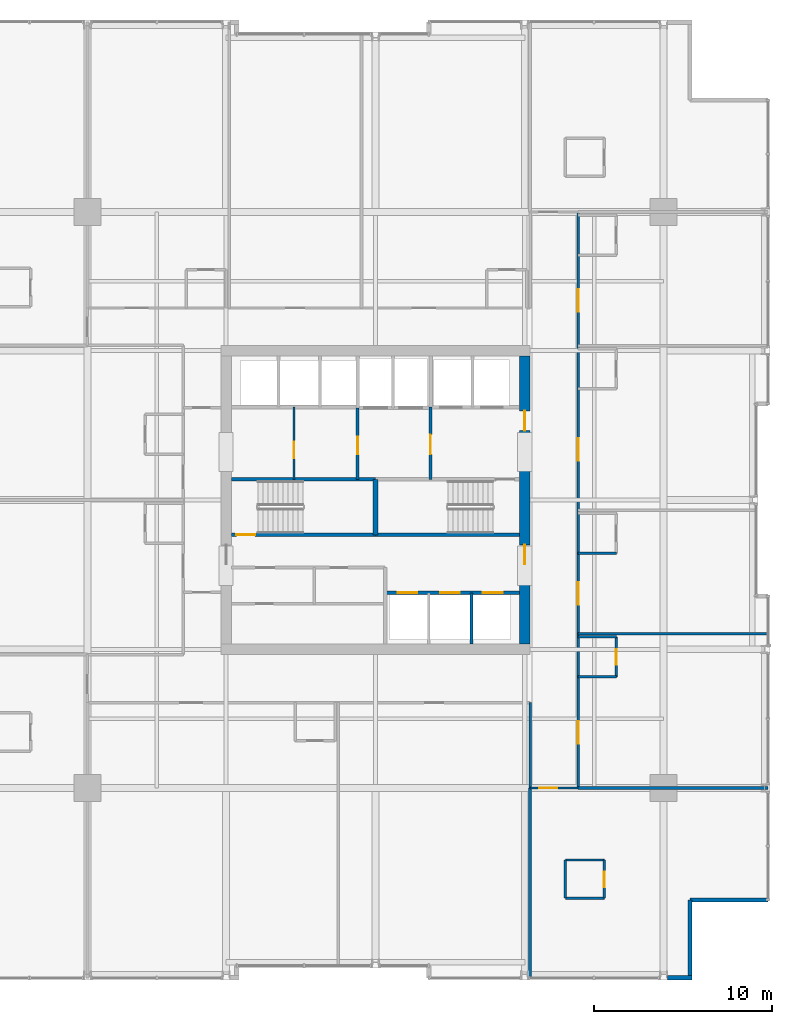
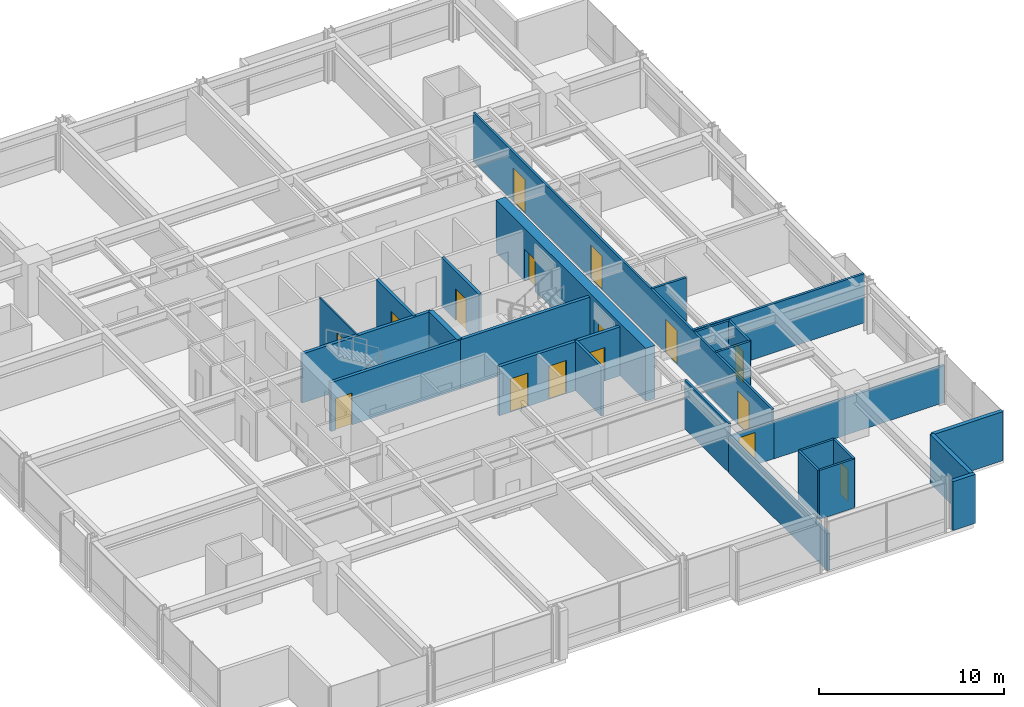
# One storey, part 29 of 33: 27 walls, 16 doors, 16 openings.
"""IFC4 building model written with IfcOpenShell, lengths in metres."""

from ifc_helpers import new_model, si_unit, direction, frame, frame_2d, origin, place, context, subcontext, project, spatial, rectangle, extrude, material, layer, layer_set, type_object, element, fill, save


model = new_model("IFC4")

# Units and contexts
model_context = context("Model", 3, precision=1e-05, world=origin(), true_north=direction((0.0, 1.0)))
body_context = subcontext(model_context, "Body", "Model", "MODEL_VIEW")
ifc_project = project(units=[si_unit("LENGTHUNIT", "METRE"), si_unit("AREAUNIT", "SQUARE_METRE"), si_unit("VOLUMEUNIT", "CUBIC_METRE"), si_unit("PLANEANGLEUNIT", "RADIAN"), si_unit("MASSUNIT", "GRAM", prefix="KILO")], contexts=[model_context])

# Site, building, storey
site_placement = place(None, origin())
site = spatial("IfcSite", under=ifc_project, at=site_placement, CompositionType="ELEMENT")
building_placement = place(site_placement, origin())
building = spatial("IfcBuilding", under=site, at=building_placement, Name="Drelvath Grand Hotel", CompositionType="ELEMENT")
storey_placement = place(building_placement, frame((0.0, 0.0, 105.800048828125)))
storey = spatial("IfcBuildingStorey", under=building, at=storey_placement, Name="L26", CompositionType="ELEMENT", Elevation=105.800048828125)

# Wall, opening, door
ifc_material_1 = material(Name="Gypsum Partition Board")
ifc_layer_1 = layer(ifc_material_1, 0.10009765625)
ifc_layer_set_1 = layer_set([ifc_layer_1], Name="Gypsum Partition Board")
wall_type_1 = type_object("IfcWallType", Name="Core Closet Partition 100", PredefinedType="PARTITIONING", material=ifc_layer_set_1)
wall_1_placement = place(storey_placement, frame((-4.580078125, 28.159912109375, 0.0), z_axis=(0.0, 0.0, 1.0), x_axis=(0.0, 1.0, 0.0)))
wall_1 = element("IfcWall", 1, at=wall_1_placement, inside=storey, type_object=wall_type_1, Name="L26 Core Closet Divider", PredefinedType="PARTITIONING", context=body_context, shape_type="SweptSolid", body=[
    extrude(rectangle(XDim=4.06005859375, YDim=0.10009765625, at=frame_2d((2.030029296875, 0.0))), origin(), (0.0, 0.0, 1.0), 3.239990234375),
])
opening_1_placement = place(wall_1_placement, frame((1.199951171875, 0.0, 0.0)))
opening_1 = element("IfcOpeningElement", 2, at=opening_1_placement, cuts=wall_1, Name="Opening D-T2G2-010", PredefinedType="OPENING", context=body_context, shape_type="SweptSolid", body=[
    extrude(rectangle(XDim=0.919921875, YDim=2.10009765625, at=frame_2d((0.4599609375, 1.050048828125))), frame((0.0, 0.06005859375, 0.0), z_axis=(0.0, -1.0, 0.0), x_axis=(1.0, 0.0, 0.0)), (0.0, 0.0, 1.0), 0.1201171875),
])
ifc_material_2 = material(Name="Painted Steel S275", Category="steel")
door_type_1 = type_object("IfcDoorType", Name="Staff Utility Door 920x2100", OperationType="NOTDEFINED", PredefinedType="DOOR", material=ifc_material_2)
door_1_placement = place(opening_1_placement, origin())
door_1 = element("IfcDoor", 3, at=door_1_placement, inside=storey, type_object=door_type_1, Name="L26 Electrical Closet Door", OperationType="SINGLE_SWING_RIGHT", OverallHeight=2.10009765625, OverallWidth=0.919921875, PredefinedType="DOOR", context=body_context, shape_type="SweptSolid", body=[
    extrude(rectangle(XDim=0.919921875, YDim=2.10009765625, at=frame_2d((0.4599609375, 1.050048828125))), frame((0.0, 0.02490234375, 0.0), z_axis=(0.0, -1.0, 0.0), x_axis=(1.0, 0.0, 0.0)), (0.0, 0.0, 1.0), 0.050048828125),
])
fill(opening_1, door_1)

# Wall, openings, doors
ifc_material_3 = material(Name="Concrete C40/50", Category="concrete")
ifc_layer_2 = layer(ifc_material_3, 0.199951171875)
ifc_layer_set_2 = layer_set([ifc_layer_2], Name="Concrete C40/50")
wall_type_2 = type_object("IfcWallType", Name="Core Hoistway Fire Wall 200", PredefinedType="SOLIDWALL", material=ifc_layer_set_2)
wall_2_placement = place(storey_placement, frame((8.10009765625, 21.780029296875, 0.0), z_axis=(0.0, 0.0, 1.0), x_axis=(-1.0, 0.0, 0.0)))
wall_2 = element("IfcWall", 4, at=wall_2_placement, inside=storey, type_object=wall_type_2, Name="L26 Bank 2 Hoistway Wall", PredefinedType="SOLIDWALL", context=body_context, shape_type="SweptSolid", body=[
    extrude(rectangle(XDim=7.550048828125, YDim=0.199951171875, at=frame_2d((3.77490234375, 0.0))), origin(), (0.0, 0.0, 1.0), 3.239990234375),
])
opening_2_placement = place(wall_2_placement, frame((5.75, 0.0, 0.0)))
opening_2 = element("IfcOpeningElement", 5, at=opening_2_placement, cuts=wall_2, Name="Opening LD-PE-4", PredefinedType="OPENING", context=body_context, shape_type="SweptSolid", body=[
    extrude(rectangle(XDim=1.10009765625, YDim=2.199951171875, at=frame_2d((0.550048828125, 1.10009765625))), frame((0.0, 0.10986328125, 0.0), z_axis=(0.0, -1.0, 0.0), x_axis=(1.0, 0.0, 0.0)), (0.0, 0.0, 1.0), 0.219970703125),
])
opening_3_placement = place(wall_2_placement, frame((3.35009765625, 0.0, 0.0)))
opening_3 = element("IfcOpeningElement", 6, at=opening_3_placement, cuts=wall_2, Name="Opening LD-PE-5", PredefinedType="OPENING", context=body_context, shape_type="SweptSolid", body=[
    extrude(rectangle(XDim=1.10009765625, YDim=2.199951171875, at=frame_2d((0.550048828125, 1.10009765625))), frame((0.0, 0.10986328125, 0.0), z_axis=(0.0, -1.0, 0.0), x_axis=(1.0, 0.0, 0.0)), (0.0, 0.0, 1.0), 0.219970703125),
])
opening_4_placement = place(wall_2_placement, frame((0.949951171875, 0.0, 0.0)))
opening_4 = element("IfcOpeningElement", 7, at=opening_4_placement, cuts=wall_2, Name="Opening LD-PE-6", PredefinedType="OPENING", context=body_context, shape_type="SweptSolid", body=[
    extrude(rectangle(XDim=1.10009765625, YDim=2.199951171875, at=frame_2d((0.550048828125, 1.10009765625))), frame((0.0, 0.10986328125, 0.0), z_axis=(0.0, -1.0, 0.0), x_axis=(1.0, 0.0, 0.0)), (0.0, 0.0, 1.0), 0.219970703125),
])
ifc_material_4 = material(Name="Stainless Steel S355", Category="steel")
door_type_2 = type_object("IfcDoorType", Name="Passenger Lift Sliding Landing Door 1100x2200", OperationType="NOTDEFINED", PredefinedType="DOOR", material=ifc_material_4)
door_2_placement = place(opening_2_placement, origin())
door_2 = element("IfcDoor", 8, at=door_2_placement, inside=storey, type_object=door_type_2, Name="L26 Lift PE-4 Landing Door", OperationType="SLIDING_TO_LEFT", OverallHeight=2.199951171875, OverallWidth=1.10009765625, PredefinedType="DOOR", context=body_context, shape_type="SweptSolid", body=[
    extrude(rectangle(XDim=1.10009765625, YDim=2.199951171875, at=frame_2d((0.550048828125, 1.10009765625))), frame((0.0, 0.02490234375, 0.0), z_axis=(0.0, -1.0, 0.0), x_axis=(1.0, 0.0, 0.0)), (0.0, 0.0, 1.0), 0.050048828125),
])
fill(opening_2, door_2)
door_3_placement = place(opening_3_placement, origin())
door_3 = element("IfcDoor", 9, at=door_3_placement, inside=storey, type_object=door_type_2, Name="L26 Lift PE-5 Landing Door", OperationType="SLIDING_TO_LEFT", OverallHeight=2.199951171875, OverallWidth=1.10009765625, PredefinedType="DOOR", context=body_context, shape_type="SweptSolid", body=[
    extrude(rectangle(XDim=1.10009765625, YDim=2.199951171875, at=frame_2d((0.550048828125, 1.10009765625))), frame((0.0, 0.02490234375, 0.0), z_axis=(0.0, -1.0, 0.0), x_axis=(1.0, 0.0, 0.0)), (0.0, 0.0, 1.0), 0.050048828125),
])
fill(opening_3, door_3)
door_4_placement = place(opening_4_placement, origin())
door_4 = element("IfcDoor", 10, at=door_4_placement, inside=storey, type_object=door_type_2, Name="L26 Lift PE-6 Landing Door", OperationType="SLIDING_TO_LEFT", OverallHeight=2.199951171875, OverallWidth=1.10009765625, PredefinedType="DOOR", context=body_context, shape_type="SweptSolid", body=[
    extrude(rectangle(XDim=1.10009765625, YDim=2.199951171875, at=frame_2d((0.550048828125, 1.10009765625))), frame((0.0, 0.02490234375, 0.0), z_axis=(0.0, -1.0, 0.0), x_axis=(1.0, 0.0, 0.0)), (0.0, 0.0, 1.0), 0.050048828125),
])
fill(opening_4, door_4)

# Wall, opening, door
ifc_layer_3 = layer(ifc_material_3, 0.199951171875)
ifc_layer_set_3 = layer_set([ifc_layer_3], Name="Concrete C40/50")
wall_type_3 = type_object("IfcWallType", Name="Core Shaft Fire Wall 200", PredefinedType="SOLIDWALL", material=ifc_layer_set_3)
wall_3_placement = place(storey_placement, frame((-8.10009765625, 25.0400390625, 0.0), z_axis=(0.0, 0.0, 1.0), x_axis=(1.0, 0.0, 0.0)))
wall_3 = element("IfcWall", 11, at=wall_3_placement, inside=storey, type_object=wall_type_3, Name="L26 Stair ST-1 South Wall", PredefinedType="SOLIDWALL", context=body_context, shape_type="SweptSolid", body=[
    extrude(rectangle(XDim=8.10009765625, YDim=0.199951171875, at=frame_2d((4.050048828125, 0.0))), origin(), (0.0, 0.0, 1.0), 3.239990234375),
])
opening_5_placement = place(wall_3_placement, frame((0.280029296875, 0.0, 0.0)))
opening_5 = element("IfcOpeningElement", 12, at=opening_5_placement, cuts=wall_3, Name="Opening D-T2G2-001", PredefinedType="OPENING", context=body_context, shape_type="SweptSolid", body=[
    extrude(rectangle(XDim=1.050048828125, YDim=2.10009765625, at=frame_2d((0.52490234375, 1.050048828125))), frame((0.0, 0.10986328125, 0.0), z_axis=(0.0, -1.0, 0.0), x_axis=(1.0, 0.0, 0.0)), (0.0, 0.0, 1.0), 0.219970703125),
])
door_type_3 = type_object("IfcDoorType", Name="Tower Stairwell Fire Door 1050x2100", OperationType="NOTDEFINED", PredefinedType="DOOR", material=ifc_material_2)
door_5_placement = place(opening_5_placement, origin())
door_5 = element("IfcDoor", 13, at=door_5_placement, inside=storey, type_object=door_type_3, Name="L26 Exit Stair ST-1 Door", OperationType="SINGLE_SWING_LEFT", OverallHeight=2.10009765625, OverallWidth=1.050048828125, PredefinedType="DOOR", context=body_context, shape_type="SweptSolid", body=[
    extrude(rectangle(XDim=1.050048828125, YDim=2.10009765625, at=frame_2d((0.52490234375, 1.050048828125))), frame((0.0, 0.02490234375, 0.0), z_axis=(0.0, -1.0, 0.0), x_axis=(1.0, 0.0, 0.0)), (0.0, 0.0, 1.0), 0.050048828125),
])
fill(opening_5, door_5)

# Walls
for number, where, z_axis, x_axis, name in (
    (14, (-8.10009765625, 28.159912109375, 0.0), (0.0, 0.0, 1.0), (1.0, 0.0, 0.0), "L26 Stair ST-1 North Wall"),
    (15, (0.0, 25.0400390625, 0.0), (0.0, 0.0, 1.0), (1.0, 0.0, 0.0), "L26 Stair ST-2 South Wall"),
):
    element("IfcWall", number, at=place(storey_placement, frame(where, z_axis=z_axis, x_axis=x_axis)), inside=storey, type_object=wall_type_3, Name=name, PredefinedType="SOLIDWALL", context=body_context, shape_type="SweptSolid", body=[
        extrude(rectangle(XDim=8.10009765625, YDim=0.199951171875, at=frame_2d((4.050048828125, 0.0))), origin(), (0.0, 0.0, 1.0), 3.239990234375),
    ])
ifc_layer_4 = layer(ifc_material_3, 0.300048828125)
ifc_layer_set_4 = layer_set([ifc_layer_4], Name="Concrete C40/50")
wall_type_4 = type_object("IfcWallType", Name="Core Shaft Fire Wall 300", PredefinedType="SOLIDWALL", material=ifc_layer_set_4)
wall_4_placement = place(storey_placement, frame((0.0, 25.0400390625, 0.0), z_axis=(0.0, 0.0, 1.0), x_axis=(0.0, 1.0, 0.0)))
element("IfcWall", 16, at=wall_4_placement, inside=storey, type_object=wall_type_4, Name="L26 Core Stair Divider Wall", PredefinedType="SOLIDWALL", context=body_context, shape_type="SweptSolid", body=[
    extrude(rectangle(XDim=3.119873046875, YDim=0.300048828125, at=frame_2d((1.56005859375, 0.0))), origin(), (0.0, 0.0, 1.0), 3.239990234375),
])
ifc_material_5 = material(Name="Gypsum Fireboard Partition")
ifc_layer_5 = layer(ifc_material_5, 0.1650390625)
ifc_layer_set_5 = layer_set([ifc_layer_5], Name="Gypsum Fireboard Partition")
wall_type_5 = type_object("IfcWallType", Name="Core Shaft Partition 165", PredefinedType="PARTITIONING", material=ifc_layer_set_5)
wall_5_placement = place(storey_placement, frame((5.39990234375, 18.89990234375, 0.0), z_axis=(0.0, 0.0, 1.0), x_axis=(0.0, 1.0, 0.0)))
element("IfcWall", 17, at=wall_5_placement, inside=storey, type_object=wall_type_5, Name="L26 Lift PE-5/6 Divider", PredefinedType="PARTITIONING", context=body_context, shape_type="SweptSolid", body=[
    extrude(rectangle(XDim=2.880126953125, YDim=0.1650390625, at=frame_2d((1.43994140625, 0.0))), origin(), (0.0, 0.0, 1.0), 3.239990234375),
])
ifc_layer_6 = layer(ifc_material_5, 0.135009765625)
ifc_layer_set_6 = layer_set([ifc_layer_6], Name="Gypsum Fireboard Partition")
wall_type_6 = type_object("IfcWallType", Name="Corridor Fire Barrier Wall 135", PredefinedType="PARTITIONING", material=ifc_layer_set_6)
wall_6_placement = place(storey_placement, frame((8.699951171875, 10.800048828125, 0.0), z_axis=(0.0, 0.0, 1.0), x_axis=(0.0, 1.0, 0.0)))
element("IfcWall", 18, at=wall_6_placement, inside=storey, type_object=wall_type_6, Name="L26 East Spine South Inner Wall", PredefinedType="PARTITIONING", context=body_context, shape_type="SweptSolid", body=[
    extrude(rectangle(XDim=4.800048828125, YDim=0.135009765625, at=frame_2d((2.39990234375, 0.0))), origin(), (0.0, 0.0, 1.0), 3.239990234375),
])

# Wall, openings, doors
wall_7_placement = place(storey_placement, frame((11.39990234375, 10.800048828125, 0.0), z_axis=(0.0, 0.0, 1.0), x_axis=(0.0, 1.0, 0.0)))
wall_7 = element("IfcWall", 19, at=wall_7_placement, inside=storey, type_object=wall_type_6, Name="L26 East Spine Corridor Wall", PredefinedType="PARTITIONING", context=body_context, shape_type="SweptSolid", body=[
    extrude(rectangle(XDim=32.39990234375, YDim=0.135009765625, at=frame_2d((16.199951171875, 0.0))), origin(), (0.0, 0.0, 1.0), 3.239990234375),
])
opening_6_placement = place(wall_7_placement, frame((2.494384765625, 0.0, 0.0)))
opening_6 = element("IfcOpeningElement", 20, at=opening_6_placement, cuts=wall_7, Name="Opening D-T2G2-038", PredefinedType="OPENING", context=body_context, shape_type="SweptSolid", body=[
    extrude(rectangle(XDim=1.260009765625, YDim=2.199951171875, at=frame_2d((0.6298828125, 1.10009765625))), frame((0.0, 0.077392578125, 0.0), z_axis=(0.0, -1.0, 0.0), x_axis=(1.0, 0.0, 0.0)), (0.0, 0.0, 1.0), 0.155029296875),
])
opening_7_placement = place(wall_7_placement, frame((10.304931640625, 0.0, 0.0)))
opening_7 = element("IfcOpeningElement", 21, at=opening_7_placement, cuts=wall_7, Name="Opening D-T2G2-040", PredefinedType="OPENING", context=body_context, shape_type="SweptSolid", body=[
    extrude(rectangle(XDim=1.260009765625, YDim=2.199951171875, at=frame_2d((0.6298828125, 1.10009765625))), frame((0.0, 0.077392578125, 0.0), z_axis=(0.0, -1.0, 0.0), x_axis=(1.0, 0.0, 0.0)), (0.0, 0.0, 1.0), 0.155029296875),
])
opening_8_placement = place(wall_7_placement, frame((18.405029296875, 0.0, 0.0)))
opening_8 = element("IfcOpeningElement", 22, at=opening_8_placement, cuts=wall_7, Name="Opening D-T2G2-042", PredefinedType="OPENING", context=body_context, shape_type="SweptSolid", body=[
    extrude(rectangle(XDim=1.260009765625, YDim=2.199951171875, at=frame_2d((0.6298828125, 1.10009765625))), frame((0.0, 0.077392578125, 0.0), z_axis=(0.0, -1.0, 0.0), x_axis=(1.0, 0.0, 0.0)), (0.0, 0.0, 1.0), 0.155029296875),
])
opening_9_placement = place(wall_7_placement, frame((26.794189453125, 0.0, 0.0)))
opening_9 = element("IfcOpeningElement", 23, at=opening_9_placement, cuts=wall_7, Name="Opening D-T2G2-044", PredefinedType="OPENING", context=body_context, shape_type="SweptSolid", body=[
    extrude(rectangle(XDim=1.260009765625, YDim=2.199951171875, at=frame_2d((0.6298828125, 1.10009765625))), frame((0.0, 0.077392578125, 0.0), z_axis=(0.0, -1.0, 0.0), x_axis=(1.0, 0.0, 0.0)), (0.0, 0.0, 1.0), 0.155029296875),
])
ifc_material_6 = material(Name="Hardwood Walnut Timber", Category="wood")
door_type_4 = type_object("IfcDoorType", Name="Suite Entrance Fire Door 1260x2200", OperationType="NOTDEFINED", PredefinedType="DOOR", material=ifc_material_6)
door_6_placement = place(opening_6_placement, origin())
door_6 = element("IfcDoor", 24, at=door_6_placement, inside=storey, type_object=door_type_4, Name="L26 Corner Suite Entry Door", OperationType="SINGLE_SWING_LEFT", OverallHeight=2.199951171875, OverallWidth=1.260009765625, PredefinedType="DOOR", context=body_context, shape_type="SweptSolid", body=[
    extrude(rectangle(XDim=1.260009765625, YDim=2.199951171875, at=frame_2d((0.6298828125, 1.10009765625))), frame((0.0, 0.02490234375, 0.0), z_axis=(0.0, -1.0, 0.0), x_axis=(1.0, 0.0, 0.0)), (0.0, 0.0, 1.0), 0.050048828125),
])
fill(opening_6, door_6)
door_7_placement = place(opening_7_placement, origin())
door_7 = element("IfcDoor", 25, at=door_7_placement, inside=storey, type_object=door_type_4, Name="L26 Corner Suite Entry Door", OperationType="SINGLE_SWING_LEFT", OverallHeight=2.199951171875, OverallWidth=1.260009765625, PredefinedType="DOOR", context=body_context, shape_type="SweptSolid", body=[
    extrude(rectangle(XDim=1.260009765625, YDim=2.199951171875, at=frame_2d((0.6298828125, 1.10009765625))), frame((0.0, 0.02490234375, 0.0), z_axis=(0.0, -1.0, 0.0), x_axis=(1.0, 0.0, 0.0)), (0.0, 0.0, 1.0), 0.050048828125),
])
fill(opening_7, door_7)
door_8_placement = place(opening_8_placement, origin())
door_8 = element("IfcDoor", 26, at=door_8_placement, inside=storey, type_object=door_type_4, Name="L26 Corner Suite Entry Door", OperationType="SINGLE_SWING_LEFT", OverallHeight=2.199951171875, OverallWidth=1.260009765625, PredefinedType="DOOR", context=body_context, shape_type="SweptSolid", body=[
    extrude(rectangle(XDim=1.260009765625, YDim=2.199951171875, at=frame_2d((0.6298828125, 1.10009765625))), frame((0.0, 0.02490234375, 0.0), z_axis=(0.0, -1.0, 0.0), x_axis=(1.0, 0.0, 0.0)), (0.0, 0.0, 1.0), 0.050048828125),
])
fill(opening_8, door_8)
door_9_placement = place(opening_9_placement, origin())
door_9 = element("IfcDoor", 27, at=door_9_placement, inside=storey, type_object=door_type_4, Name="L26 Corner Suite Entry Door", OperationType="SINGLE_SWING_LEFT", OverallHeight=2.199951171875, OverallWidth=1.260009765625, PredefinedType="DOOR", context=body_context, shape_type="SweptSolid", body=[
    extrude(rectangle(XDim=1.260009765625, YDim=2.199951171875, at=frame_2d((0.6298828125, 1.10009765625))), frame((0.0, 0.02490234375, 0.0), z_axis=(0.0, -1.0, 0.0), x_axis=(1.0, 0.0, 0.0)), (0.0, 0.0, 1.0), 0.050048828125),
])
fill(opening_9, door_9)

# Wall, opening, door
wall_8_placement = place(storey_placement, frame((8.699951171875, 10.800048828125, 0.0), z_axis=(0.0, 0.0, 1.0), x_axis=(1.0, 0.0, 0.0)))
wall_8 = element("IfcWall", 28, at=wall_8_placement, inside=storey, type_object=wall_type_6, Name="L26 East Spine South End", PredefinedType="PARTITIONING", context=body_context, shape_type="SweptSolid", body=[
    extrude(rectangle(XDim=2.699951171875, YDim=0.135009765625, at=frame_2d((1.35009765625, 0.0))), origin(), (0.0, 0.0, 1.0), 2.45166015625),
])
opening_10_placement = place(wall_8_placement, frame((0.52001953125, 0.0, 0.0)))
opening_10 = element("IfcOpeningElement", 29, at=opening_10_placement, cuts=wall_8, Name="Opening D-T2G2-026", PredefinedType="OPENING", context=body_context, shape_type="SweptSolid", body=[
    extrude(rectangle(XDim=1.02001953125, YDim=2.14990234375, at=frame_2d((0.510009765625, 1.074951171875))), frame((0.0, 0.077392578125, 0.0), z_axis=(0.0, -1.0, 0.0), x_axis=(1.0, 0.0, 0.0)), (0.0, 0.0, 1.0), 0.155029296875),
])
door_type_5 = type_object("IfcDoorType", Name="Amenity Meeting Fire Door 1020x2150", OperationType="NOTDEFINED", PredefinedType="DOOR", material=ifc_material_6)
door_10_placement = place(opening_10_placement, origin())
door_10 = element("IfcDoor", 30, at=door_10_placement, inside=storey, type_object=door_type_5, Name="L26 Corner Suite Entry Door", OperationType="SINGLE_SWING_LEFT", OverallHeight=2.14990234375, OverallWidth=1.02001953125, PredefinedType="DOOR", context=body_context, shape_type="SweptSolid", body=[
    extrude(rectangle(XDim=1.02001953125, YDim=2.14990234375, at=frame_2d((0.510009765625, 1.074951171875))), frame((0.0, 0.02490234375, 0.0), z_axis=(0.0, -1.0, 0.0), x_axis=(1.0, 0.0, 0.0)), (0.0, 0.0, 1.0), 0.050048828125),
])
fill(opening_10, door_10)

# Walls
ifc_material_7 = material(Name="Moisture-Resistant Gypsum Board")
ifc_layer_7 = layer(ifc_material_7, 0.139892578125)
ifc_layer_set_7 = layer_set([ifc_layer_7], Name="Moisture-Resistant Gypsum Board")
wall_type_7 = type_object("IfcWallType", Name="En-Suite Plumbing Wall 140", PredefinedType="PLUMBINGWALL", material=ifc_layer_set_7)
for number, where, z_axis, x_axis, name in (
    (31, (10.679931640625, 4.60009765625, 0.0), (0.0, 0.0, 1.0), (1.0, 0.0, 0.0), "L26 Corner En-Suite South"),
    (32, (10.679931640625, 6.75, 0.0), (0.0, 0.0, 1.0), (1.0, 0.0, 0.0), "L26 Corner En-Suite North"),
):
    element("IfcWall", number, at=place(storey_placement, frame(where, z_axis=z_axis, x_axis=x_axis)), inside=storey, type_object=wall_type_7, Name=name, PredefinedType="PLUMBINGWALL", context=body_context, shape_type="SweptSolid", body=[
        extrude(rectangle(XDim=2.199951171875, YDim=0.139892578125, at=frame_2d((1.10009765625, 0.0))), origin(), (0.0, 0.0, 1.0), 3.239990234375),
    ])
wall_9_placement = place(storey_placement, frame((10.679931640625, 4.60009765625, 0.0), z_axis=(0.0, 0.0, 1.0), x_axis=(0.0, 1.0, 0.0)))
element("IfcWall", 33, at=wall_9_placement, inside=storey, type_object=wall_type_7, Name="L26 Corner En-Suite West", PredefinedType="PLUMBINGWALL", context=body_context, shape_type="SweptSolid", body=[
    extrude(rectangle(XDim=2.14990234375, YDim=0.139892578125, at=frame_2d((1.074951171875, 0.0))), origin(), (0.0, 0.0, 1.0), 3.239990234375),
])

# Wall, opening, door
wall_10_placement = place(storey_placement, frame((12.8798828125, 4.60009765625, 0.0), z_axis=(0.0, 0.0, 1.0), x_axis=(0.0, 1.0, 0.0)))
wall_10 = element("IfcWall", 34, at=wall_10_placement, inside=storey, type_object=wall_type_7, Name="L26 Corner En-Suite East", PredefinedType="PLUMBINGWALL", context=body_context, shape_type="SweptSolid", body=[
    extrude(rectangle(XDim=2.14990234375, YDim=0.139892578125, at=frame_2d((1.074951171875, 0.0))), origin(), (0.0, 0.0, 1.0), 3.239990234375),
])
opening_11_placement = place(wall_10_placement, frame((0.6201171875, 0.0, 0.0)))
opening_11 = element("IfcOpeningElement", 35, at=opening_11_placement, cuts=wall_10, Name="Opening D-T2G2-025", PredefinedType="OPENING", context=body_context, shape_type="SweptSolid", body=[
    extrude(rectangle(XDim=0.8798828125, YDim=2.10009765625, at=frame_2d((0.43994140625, 1.050048828125))), frame((0.0, 0.079833984375, 0.0), z_axis=(0.0, -1.0, 0.0), x_axis=(1.0, 0.0, 0.0)), (0.0, 0.0, 1.0), 0.159912109375),
])
door_type_6 = type_object("IfcDoorType", Name="En-Suite Bathroom Door 880x2100", OperationType="NOTDEFINED", PredefinedType="DOOR", material=ifc_material_6)
door_11_placement = place(opening_11_placement, origin())
door_11 = element("IfcDoor", 36, at=door_11_placement, inside=storey, type_object=door_type_6, Name="L26 Corner En-Suite Door", OperationType="SINGLE_SWING_RIGHT", OverallHeight=2.10009765625, OverallWidth=0.8798828125, PredefinedType="DOOR", context=body_context, shape_type="SweptSolid", body=[
    extrude(rectangle(XDim=0.8798828125, YDim=2.10009765625, at=frame_2d((0.43994140625, 1.050048828125))), frame((0.0, 0.02490234375, 0.0), z_axis=(0.0, -1.0, 0.0), x_axis=(1.0, 0.0, 0.0)), (0.0, 0.0, 1.0), 0.050048828125),
])
fill(opening_11, door_11)

# Walls
for number, where, z_axis, x_axis, name in (
    (37, (11.39990234375, 17.048583984375, 0.0), (0.0, 0.0, 1.0), (1.0, 0.0, 0.0), "L26 En-Suite Left Wall"),
    (38, (11.39990234375, 19.298583984375, 0.0), (0.0, 0.0, 1.0), (1.0, 0.0, 0.0), "L26 En-Suite Right Wall"),
):
    element("IfcWall", number, at=place(storey_placement, frame(where, z_axis=z_axis, x_axis=x_axis)), inside=storey, type_object=wall_type_7, Name=name, PredefinedType="PLUMBINGWALL", context=body_context, shape_type="SweptSolid", body=[
        extrude(rectangle(XDim=2.150146484375, YDim=0.139892578125, at=frame_2d((1.0751953125, 0.0))), origin(), (0.0, 0.0, 1.0), 3.239990234375),
    ])

# Wall, opening, door
wall_11_placement = place(storey_placement, frame((13.550048828125, 17.048583984375, 0.0), z_axis=(0.0, 0.0, 1.0), x_axis=(0.0, 1.0, 0.0)))
wall_11 = element("IfcWall", 39, at=wall_11_placement, inside=storey, type_object=wall_type_7, Name="L26 En-Suite Front Wall", PredefinedType="PLUMBINGWALL", context=body_context, shape_type="SweptSolid", body=[
    extrude(rectangle(XDim=2.25, YDim=0.139892578125, at=frame_2d((1.125, 0.0))), origin(), (0.0, 0.0, 1.0), 3.239990234375),
])
opening_12_placement = place(wall_11_placement, frame((0.68505859375, 0.0, 0.0)))
opening_12 = element("IfcOpeningElement", 40, at=opening_12_placement, cuts=wall_11, Name="Opening D-T2G2-037", PredefinedType="OPENING", context=body_context, shape_type="SweptSolid", body=[
    extrude(rectangle(XDim=0.8798828125, YDim=2.10009765625, at=frame_2d((0.43994140625, 1.050048828125))), frame((0.0, 0.079833984375, 0.0), z_axis=(0.0, -1.0, 0.0), x_axis=(1.0, 0.0, 0.0)), (0.0, 0.0, 1.0), 0.159912109375),
])
door_12_placement = place(opening_12_placement, origin())
door_12 = element("IfcDoor", 41, at=door_12_placement, inside=storey, type_object=door_type_6, Name="L26 En-Suite Bathroom Door", OperationType="SINGLE_SWING_RIGHT", OverallHeight=2.10009765625, OverallWidth=0.8798828125, PredefinedType="DOOR", context=body_context, shape_type="SweptSolid", body=[
    extrude(rectangle(XDim=0.8798828125, YDim=2.10009765625, at=frame_2d((0.43994140625, 1.050048828125))), frame((0.0, 0.02490234375, 0.0), z_axis=(0.0, -1.0, 0.0), x_axis=(1.0, 0.0, 0.0)), (0.0, 0.0, 1.0), 0.050048828125),
])
fill(opening_12, door_12)

# Wall
wall_12_placement = place(storey_placement, frame((11.39990234375, 23.991455078125, 0.0), z_axis=(0.0, 0.0, 1.0), x_axis=(1.0, 0.0, 0.0)))
element("IfcWall", 42, at=wall_12_placement, inside=storey, type_object=wall_type_7, Name="L26 En-Suite Left Wall", PredefinedType="PLUMBINGWALL", context=body_context, shape_type="SweptSolid", body=[
    extrude(rectangle(XDim=2.150146484375, YDim=0.139892578125, at=frame_2d((1.0751953125, 0.0))), origin(), (0.0, 0.0, 1.0), 3.239990234375),
])

# Wall, opening, door
ifc_layer_8 = layer(ifc_material_5, 0.179931640625)
ifc_layer_set_8 = layer_set([ifc_layer_8], Name="Gypsum Fireboard Partition")
wall_type_8 = type_object("IfcWallType", Name="FSAE Smoke Lobby Fire Wall 180", PredefinedType="SOLIDWALL", material=ifc_layer_set_8)
wall_13_placement = place(storey_placement, frame((3.10009765625, 28.159912109375, 0.0), z_axis=(0.0, 0.0, 1.0), x_axis=(0.0, 1.0, 0.0)))
wall_13 = element("IfcWall", 43, at=wall_13_placement, inside=storey, type_object=wall_type_8, Name="L26 FSAE Smoke Lobby West Wall", PredefinedType="SOLIDWALL", context=body_context, shape_type="SweptSolid", body=[
    extrude(rectangle(XDim=4.06005859375, YDim=0.179931640625, at=frame_2d((2.030029296875, 0.0))), origin(), (0.0, 0.0, 1.0), 3.239990234375),
])
opening_13_placement = place(wall_13_placement, frame((1.39990234375, 0.0, 0.0)))
opening_13 = element("IfcOpeningElement", 44, at=opening_13_placement, cuts=wall_13, Name="Opening D-T2G2-005", PredefinedType="OPENING", context=body_context, shape_type="SweptSolid", body=[
    extrude(rectangle(XDim=1.1201171875, YDim=2.10009765625, at=frame_2d((0.56005859375, 1.050048828125))), frame((0.0, 0.099853515625, 0.0), z_axis=(0.0, -1.0, 0.0), x_axis=(1.0, 0.0, 0.0)), (0.0, 0.0, 1.0), 0.199951171875),
])
door_type_7 = type_object("IfcDoorType", Name="FSAE Smoke Lobby Fire Door 1120x2100", OperationType="NOTDEFINED", PredefinedType="DOOR", material=ifc_material_2)
door_13_placement = place(opening_13_placement, origin())
door_13 = element("IfcDoor", 45, at=door_13_placement, inside=storey, type_object=door_type_7, Name="L26 FSAE Lobby Service Vestibule Door", OperationType="SINGLE_SWING_RIGHT", OverallHeight=2.10009765625, OverallWidth=1.1201171875, PredefinedType="DOOR", context=body_context, shape_type="SweptSolid", body=[
    extrude(rectangle(XDim=1.1201171875, YDim=2.10009765625, at=frame_2d((0.56005859375, 1.050048828125))), frame((0.0, 0.02490234375, 0.0), z_axis=(0.0, -1.0, 0.0), x_axis=(1.0, 0.0, 0.0)), (0.0, 0.0, 1.0), 0.050048828125),
])
fill(opening_13, door_13)

wall_14_placement = place(storey_placement, frame((-1.0, 28.159912109375, 0.0), z_axis=(0.0, 0.0, 1.0), x_axis=(0.0, 1.0, 0.0)))
wall_14 = element("IfcWall", 46, at=wall_14_placement, inside=storey, type_object=wall_type_8, Name="L26 Service Vestibule West Wall", PredefinedType="SOLIDWALL", context=body_context, shape_type="SweptSolid", body=[
    extrude(rectangle(XDim=4.02001953125, YDim=0.179931640625, at=frame_2d((2.010009765625, 0.0))), origin(), (0.0, 0.0, 1.0), 3.239990234375),
])
opening_14_placement = place(wall_14_placement, frame((1.39990234375, 0.0, 0.0)))
opening_14 = element("IfcOpeningElement", 47, at=opening_14_placement, cuts=wall_14, Name="Opening D-T2G2-009", PredefinedType="OPENING", context=body_context, shape_type="SweptSolid", body=[
    extrude(rectangle(XDim=1.0, YDim=2.10009765625, at=frame_2d((0.5, 1.050048828125))), frame((0.0, 0.099853515625, 0.0), z_axis=(0.0, -1.0, 0.0), x_axis=(1.0, 0.0, 0.0)), (0.0, 0.0, 1.0), 0.199951171875),
])
door_type_8 = type_object("IfcDoorType", Name="Core Service Fire Door 1000x2100", OperationType="NOTDEFINED", PredefinedType="DOOR", material=ifc_material_2)
door_14_placement = place(opening_14_placement, origin())
door_14 = element("IfcDoor", 48, at=door_14_placement, inside=storey, type_object=door_type_8, Name="L26 Service Vestibule West Door", OperationType="SINGLE_SWING_LEFT", OverallHeight=2.10009765625, OverallWidth=1.0, PredefinedType="DOOR", context=body_context, shape_type="SweptSolid", body=[
    extrude(rectangle(XDim=1.0, YDim=2.10009765625, at=frame_2d((0.5, 1.050048828125))), frame((0.0, 0.02490234375, 0.0), z_axis=(0.0, -1.0, 0.0), x_axis=(1.0, 0.0, 0.0)), (0.0, 0.0, 1.0), 0.050048828125),
])
fill(opening_14, door_14)

# Wall
ifc_material_8 = material(Name="Gypsum Acoustic Partition")
ifc_layer_9 = layer(ifc_material_8, 0.14990234375)
ifc_layer_set_9 = layer_set([ifc_layer_9], Name="Gypsum Acoustic Partition")
wall_type_9 = type_object("IfcWallType", Name="Guestroom Demising Wall 150", PredefinedType="PARTITIONING", material=ifc_layer_set_9)
wall_15_placement = place(storey_placement, frame((11.39990234375, 19.478515625, 0.0), z_axis=(0.0, 0.0, 1.0), x_axis=(1.0, 0.0, 0.0)))
element("IfcWall", 49, at=wall_15_placement, inside=storey, type_object=wall_type_9, Name="L26 East Demising 1", PredefinedType="PARTITIONING", context=body_context, shape_type="SweptSolid", body=[
    extrude(rectangle(XDim=10.68017578125, YDim=0.14990234375, at=frame_2d((5.340087890625, 0.0))), origin(), (0.0, 0.0, 1.0), 3.239990234375),
])

# Wall, openings, doors
ifc_material_9 = material(Name="Concrete f'c 70 MPa", Category="concrete")
ifc_layer_10 = layer(ifc_material_9, 0.60009765625)
ifc_layer_set_10 = layer_set([ifc_layer_10], Name="Concrete f'c 70 MPa")
wall_type_10 = type_object("IfcWallType", Name="Lower Core RC Shear Wall 600", PredefinedType="SHEAR", material=ifc_layer_set_10)
wall_16_placement = place(storey_placement, frame((8.39990234375, 35.10009765625, 0.0), z_axis=(0.0, 0.0, 1.0), x_axis=(0.0, -1.0, 0.0)))
wall_16 = element("IfcWall", 50, at=wall_16_placement, inside=storey, type_object=wall_type_10, Name="L26 Central Core Shear Wall E", PredefinedType="SHEAR", context=body_context, shape_type="SweptSolid", body=[
    extrude(rectangle(XDim=16.2001953125, YDim=0.60009765625, at=frame_2d((8.10009765625, 0.0))), origin(), (0.0, 0.0, 1.0), 3.5),
])
opening_15_placement = place(wall_16_placement, frame((3.080078125, 0.0, 0.0)))
opening_15 = element("IfcOpeningElement", 51, at=opening_15_placement, cuts=wall_16, Name="Opening D-T2G2-006", PredefinedType="OPENING", context=body_context, shape_type="SweptSolid", body=[
    extrude(rectangle(XDim=1.1201171875, YDim=2.10009765625, at=frame_2d((0.56005859375, 1.050048828125))), frame((0.0, 0.31005859375, 0.0), z_axis=(0.0, -1.0, 0.0), x_axis=(1.0, 0.0, 0.0)), (0.0, 0.0, 1.0), 0.6201171875),
])
opening_16_placement = place(wall_16_placement, frame((10.6201171875, 0.0, 0.0)))
opening_16 = element("IfcOpeningElement", 52, at=opening_16_placement, cuts=wall_16, Name="Opening D-T2G2-015", PredefinedType="OPENING", context=body_context, shape_type="SweptSolid", body=[
    extrude(rectangle(XDim=1.080078125, YDim=2.0400390625, at=frame_2d((0.5400390625, 1.02001953125))), frame((0.0, 0.31005859375, 0.0), z_axis=(0.0, -1.0, 0.0), x_axis=(1.0, 0.0, 0.0)), (0.0, 0.0, 1.0), 0.6201171875),
])
door_type_9 = type_object("IfcDoorType", Name="Core Corridor Fire Door 1080x2100", OperationType="NOTDEFINED", PredefinedType="DOOR", material=ifc_material_2)
door_15_placement = place(opening_16_placement, origin())
door_15 = element("IfcDoor", 53, at=door_15_placement, inside=storey, type_object=door_type_9, Name="L26 Mid-Rise Lobby East Door", OperationType="SINGLE_SWING_RIGHT", OverallHeight=2.0400390625, OverallWidth=1.080078125, PredefinedType="DOOR", context=body_context, shape_type="SweptSolid", body=[
    extrude(rectangle(XDim=1.080078125, YDim=2.0400390625, at=frame_2d((0.5400390625, 1.02001953125))), frame((0.0, 0.02490234375, 0.0), z_axis=(0.0, -1.0, 0.0), x_axis=(1.0, 0.0, 0.0)), (0.0, 0.0, 1.0), 0.050048828125),
])
fill(opening_16, door_15)
door_16_placement = place(opening_15_placement, origin())
door_16 = element("IfcDoor", 54, at=door_16_placement, inside=storey, type_object=door_type_7, Name="L26 FSAE Lobby East Corridor Door", OperationType="SINGLE_SWING_LEFT", OverallHeight=2.10009765625, OverallWidth=1.1201171875, PredefinedType="DOOR", context=body_context, shape_type="SweptSolid", body=[
    extrude(rectangle(XDim=1.1201171875, YDim=2.10009765625, at=frame_2d((0.56005859375, 1.050048828125))), frame((0.0, 0.02490234375, 0.0), z_axis=(0.0, -1.0, 0.0), x_axis=(1.0, 0.0, 0.0)), (0.0, 0.0, 1.0), 0.050048828125),
])
fill(opening_15, door_16)

# Walls
ifc_layer_11 = layer(ifc_material_8, 0.1650390625)
ifc_layer_set_11 = layer_set([ifc_layer_11], Name="Gypsum Acoustic Partition")
wall_type_11 = type_object("IfcWallType", Name="Suite Demising Wall 165", PredefinedType="PARTITIONING", material=ifc_layer_set_11)
wall_17_placement = place(storey_placement, frame((8.699951171875, 0.1201171875, 0.0), z_axis=(0.0, 0.0, 1.0), x_axis=(0.0, 1.0, 0.0)))
element("IfcWall", 55, at=wall_17_placement, inside=storey, type_object=wall_type_11, Name="L26 SE Suite West Wall", PredefinedType="PARTITIONING", context=body_context, shape_type="SweptSolid", body=[
    extrude(rectangle(XDim=10.679931640625, YDim=0.1650390625, at=frame_2d((5.33984375, 0.0))), origin(), (0.0, 0.0, 1.0), 2.45166015625),
])
wall_18_placement = place(storey_placement, frame((11.39990234375, 10.800048828125, 0.0), z_axis=(0.0, 0.0, 1.0), x_axis=(1.0, 0.0, 0.0)))
element("IfcWall", 56, at=wall_18_placement, inside=storey, type_object=wall_type_11, Name="L26 SE Suite North Wall", PredefinedType="PARTITIONING", context=body_context, shape_type="SweptSolid", body=[
    extrude(rectangle(XDim=10.68017578125, YDim=0.1650390625, at=frame_2d((5.340087890625, 0.0))), origin(), (0.0, 0.0, 1.0), 2.45166015625),
])
ifc_material_10 = material(Name="Pale-Metal Insulated Aluminium Spandrel Assembly", Category="aluminium")
ifc_layer_12 = layer(ifc_material_10, 0.239990234375)
ifc_layer_set_12 = layer_set([ifc_layer_12], Name="Pale-Metal Insulated Aluminium Spandrel Assembly")
wall_type_12 = type_object("IfcWallType", Name="Tower Insulated Metal Spandrel Closure Wall 240", PredefinedType="STANDARD", material=ifc_layer_set_12)
wall_19_placement = place(storey_placement, frame((17.820068359375, 0.1201171875, 0.0), z_axis=(0.0, 0.0, 1.0), x_axis=(-1.0, 0.0, 0.0)))
element("IfcWall", 57, at=wall_19_placement, inside=storey, type_object=wall_type_12, Name="L26 Corner Pier Spandrel Wall SE3", PredefinedType="STANDARD", context=body_context, shape_type="SweptSolid", body=[
    extrude(rectangle(XDim=1.400390625, YDim=0.239990234375, at=frame_2d((0.7001953125, 0.0))), origin(), (0.0, 0.0, 1.0), 3.239990234375),
])
wall_20_placement = place(storey_placement, frame((22.080078125, 4.5, 0.0), z_axis=(0.0, 0.0, 1.0), x_axis=(-1.0, 0.0, 0.0)))
element("IfcWall", 58, at=wall_20_placement, inside=storey, type_object=wall_type_12, Name="L26 Notched Corner Return Spandrel Wall CSE1", PredefinedType="STANDARD", context=body_context, shape_type="SweptSolid", body=[
    extrude(rectangle(XDim=4.380126953125, YDim=0.239990234375, at=frame_2d((2.18994140625, 0.0))), origin(), (0.0, 0.0, 1.0), 3.239990234375),
])
wall_21_placement = place(storey_placement, frame((17.699951171875, 4.5, 0.0), z_axis=(0.0, 0.0, 1.0), x_axis=(0.0, -1.0, 0.0)))
element("IfcWall", 59, at=wall_21_placement, inside=storey, type_object=wall_type_12, Name="L26 Notched Corner Return Spandrel Wall CSE2", PredefinedType="STANDARD", context=body_context, shape_type="SweptSolid", body=[
    extrude(rectangle(XDim=4.260009765625, YDim=0.239990234375, at=frame_2d((2.1298828125, 0.0))), origin(), (0.0, 0.0, 1.0), 3.239990234375),
])

save(model, "model.ifc")
